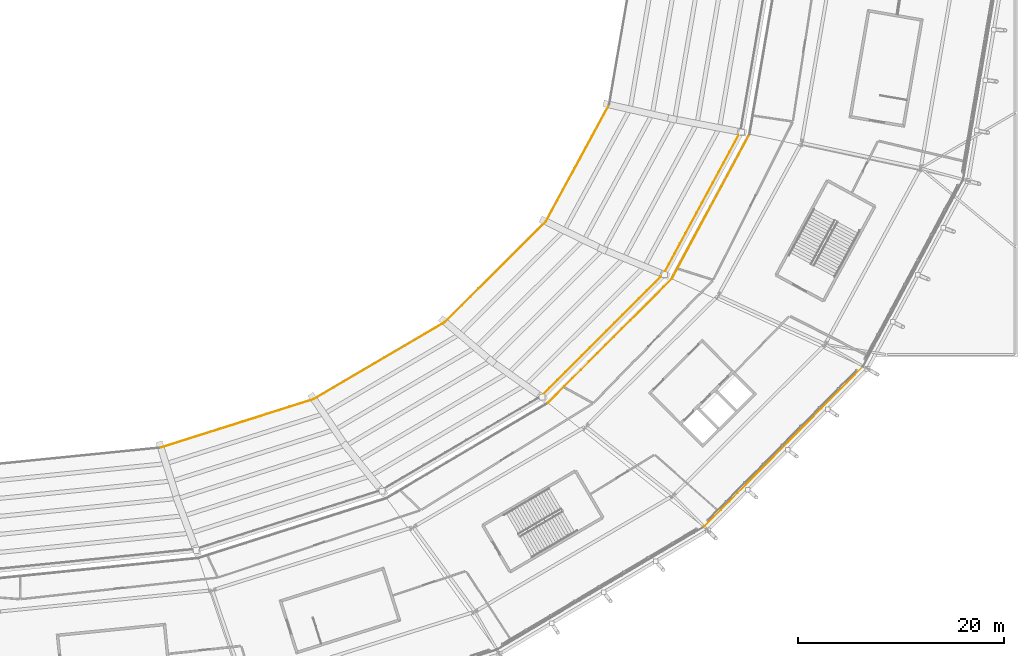
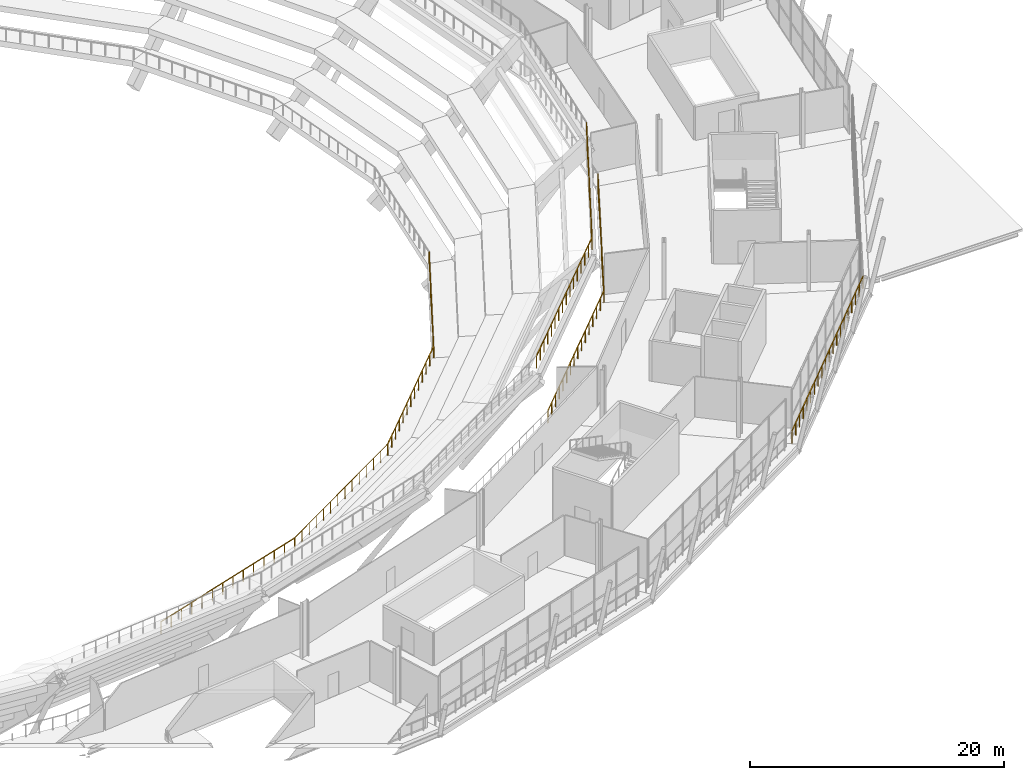
# One storey, part 118 of 126: 9 railings.
"""IFC4 building model written with IfcOpenShell, lengths in metres."""

from ifc_helpers import new_model, si_unit, direction, frame, origin, origin_2d, place, context, subcontext, project, spatial, rectangle, extrude, material, type_object, element, save


model = new_model("IFC4")

# Units and contexts
model_context = context("Model", 3, precision=1e-05, world=origin(), true_north=direction((0.0, 1.0)))
body_context = subcontext(model_context, "Body", "Model", "MODEL_VIEW")
ifc_project = project(units=[si_unit("LENGTHUNIT", "METRE"), si_unit("AREAUNIT", "SQUARE_METRE"), si_unit("VOLUMEUNIT", "CUBIC_METRE"), si_unit("PLANEANGLEUNIT", "RADIAN"), si_unit("MASSUNIT", "GRAM", prefix="KILO")], contexts=[model_context])

# Site, building, storey
site_placement = place(None, origin())
site = spatial("IfcSite", under=ifc_project, at=site_placement, CompositionType="ELEMENT")
building_placement = place(site_placement, origin())
building = spatial("IfcBuilding", under=site, at=building_placement, Name="Zlatoyarsky Gate Stadium", CompositionType="ELEMENT")
storey_placement = place(building_placement, frame((0.0, 0.0, 20.800048828125)))
storey = spatial("IfcBuildingStorey", under=building, at=storey_placement, Name="L04", CompositionType="ELEMENT", Elevation=20.800048828125)

# Railings
ifc_material_1 = material(Name="Galvanised steel sightline guardrail", Category="steel")
railing_type_1 = type_object("IfcRailingType", Name="BOWL FRONT SIGHTLINE GUARDRAIL 1150", PredefinedType="GUARDRAIL", material=ifc_material_1)
railing_1_placement = place(storey_placement, frame((126.956298828125, 34.45654296875, -4.400146484375)))
element("IfcRailing", 1, at=railing_1_placement, inside=storey, type_object=railing_type_1, Name="Upper bowl front guardrail 19", PredefinedType="GUARDRAIL", context=body_context, shape_type="SweptSolid", body=[
    extrude(rectangle(XDim=0.048095703125, YDim=0.048095703125, at=origin_2d()), frame((0.0, 0.0, 1.1259765625), z_axis=(0.953304525626, 0.30201073064, 0.0), x_axis=(-0.30201073064, 0.953304525626, 0.0)), (0.0, 0.0, 1.0), 15.596923828125),
    extrude(rectangle(XDim=0.0419921875, YDim=0.0419921875, at=origin_2d()), origin(), (0.0, 0.0, 1.0), 1.101806640625),
    extrude(rectangle(XDim=0.0419921875, YDim=0.0419921875, at=origin_2d()), frame((1.143798828125, 0.3623046875, 0.0)), (0.0, 0.0, 1.0), 1.101806640625),
    extrude(rectangle(XDim=0.0419921875, YDim=0.0419921875, at=origin_2d()), frame((2.28759765625, 0.724609375, 0.0)), (0.0, 0.0, 1.0), 1.101806640625),
    extrude(rectangle(XDim=0.0419921875, YDim=0.0419921875, at=origin_2d()), frame((3.43115234375, 1.0869140625, 0.0)), (0.0, 0.0, 1.0), 1.101806640625),
    extrude(rectangle(XDim=0.0419921875, YDim=0.0419921875, at=origin_2d()), frame((4.574951171875, 1.449462890625, 0.0)), (0.0, 0.0, 1.0), 1.101806640625),
    extrude(rectangle(XDim=0.0419921875, YDim=0.0419921875, at=origin_2d()), frame((5.71875, 1.811767578125, 0.0)), (0.0, 0.0, 1.0), 1.101806640625),
    extrude(rectangle(XDim=0.0419921875, YDim=0.0419921875, at=origin_2d()), frame((6.862548828125, 2.174072265625, 0.0)), (0.0, 0.0, 1.0), 1.101806640625),
    extrude(rectangle(XDim=0.0419921875, YDim=0.0419921875, at=origin_2d()), frame((8.006103515625, 2.536376953125, 0.0)), (0.0, 0.0, 1.0), 1.101806640625),
    extrude(rectangle(XDim=0.0419921875, YDim=0.0419921875, at=origin_2d()), frame((9.14990234375, 2.898681640625, 0.0)), (0.0, 0.0, 1.0), 1.101806640625),
    extrude(rectangle(XDim=0.0419921875, YDim=0.0419921875, at=origin_2d()), frame((10.293701171875, 3.260986328125, 0.0)), (0.0, 0.0, 1.0), 1.101806640625),
    extrude(rectangle(XDim=0.0419921875, YDim=0.0419921875, at=origin_2d()), frame((11.4375, 3.62353515625, 0.0)), (0.0, 0.0, 1.0), 1.101806640625),
    extrude(rectangle(XDim=0.0419921875, YDim=0.0419921875, at=origin_2d()), frame((12.5810546875, 3.98583984375, 0.0)), (0.0, 0.0, 1.0), 1.101806640625),
    extrude(rectangle(XDim=0.0419921875, YDim=0.0419921875, at=origin_2d()), frame((13.724853515625, 4.34814453125, 0.0)), (0.0, 0.0, 1.0), 1.101806640625),
    extrude(rectangle(XDim=0.0419921875, YDim=0.0419921875, at=origin_2d()), frame((14.86865234375, 4.71044921875, 0.0)), (0.0, 0.0, 1.0), 1.101806640625),
])
railing_2_placement = place(storey_placement, frame((141.824951171875, 39.1669921875, -4.400146484375)))
element("IfcRailing", 2, at=railing_2_placement, inside=storey, type_object=railing_type_1, Name="Upper bowl front guardrail 20", PredefinedType="GUARDRAIL", context=body_context, shape_type="SweptSolid", body=[
    extrude(rectangle(XDim=0.048095703125, YDim=0.048095703125, at=origin_2d()), frame((0.0, 0.0, 1.1259765625), z_axis=(0.862456472838, 0.506131240351, 0.0), x_axis=(-0.506131240351, 0.862456472838, 0.0)), (0.0, 0.0, 1.0), 14.80419921875),
    extrude(rectangle(XDim=0.0419921875, YDim=0.0419921875, at=origin_2d()), origin(), (0.0, 0.0, 1.0), 1.101806640625),
    extrude(rectangle(XDim=0.0419921875, YDim=0.0419921875, at=origin_2d()), frame((0.982177734375, 0.576416015625, 0.0)), (0.0, 0.0, 1.0), 1.101806640625),
    extrude(rectangle(XDim=0.0419921875, YDim=0.0419921875, at=origin_2d()), frame((1.96435546875, 1.15283203125, 0.0)), (0.0, 0.0, 1.0), 1.101806640625),
    extrude(rectangle(XDim=0.0419921875, YDim=0.0419921875, at=origin_2d()), frame((2.946533203125, 1.729248046875, 0.0)), (0.0, 0.0, 1.0), 1.101806640625),
    extrude(rectangle(XDim=0.0419921875, YDim=0.0419921875, at=origin_2d()), frame((3.9287109375, 2.305419921875, 0.0)), (0.0, 0.0, 1.0), 1.101806640625),
    extrude(rectangle(XDim=0.0419921875, YDim=0.0419921875, at=origin_2d()), frame((4.910888671875, 2.8818359375, 0.0)), (0.0, 0.0, 1.0), 1.101806640625),
    extrude(rectangle(XDim=0.0419921875, YDim=0.0419921875, at=origin_2d()), frame((5.89306640625, 3.458251953125, 0.0)), (0.0, 0.0, 1.0), 1.101806640625),
    extrude(rectangle(XDim=0.0419921875, YDim=0.0419921875, at=origin_2d()), frame((6.875, 4.03466796875, 0.0)), (0.0, 0.0, 1.0), 1.101806640625),
    extrude(rectangle(XDim=0.0419921875, YDim=0.0419921875, at=origin_2d()), frame((7.857177734375, 4.611083984375, 0.0)), (0.0, 0.0, 1.0), 1.101806640625),
    extrude(rectangle(XDim=0.0419921875, YDim=0.0419921875, at=origin_2d()), frame((8.83935546875, 5.1875, 0.0)), (0.0, 0.0, 1.0), 1.101806640625),
    extrude(rectangle(XDim=0.0419921875, YDim=0.0419921875, at=origin_2d()), frame((9.821533203125, 5.763671875, 0.0)), (0.0, 0.0, 1.0), 1.101806640625),
    extrude(rectangle(XDim=0.0419921875, YDim=0.0419921875, at=origin_2d()), frame((10.8037109375, 6.340087890625, 0.0)), (0.0, 0.0, 1.0), 1.101806640625),
    extrude(rectangle(XDim=0.0419921875, YDim=0.0419921875, at=origin_2d()), frame((11.785888671875, 6.91650390625, 0.0)), (0.0, 0.0, 1.0), 1.101806640625),
    extrude(rectangle(XDim=0.0419921875, YDim=0.0419921875, at=origin_2d()), frame((12.76806640625, 7.492919921875, 0.0)), (0.0, 0.0, 1.0), 1.101806640625),
])
railing_3_placement = place(storey_placement, frame((154.593017578125, 46.659912109375, -4.400146484375)))
element("IfcRailing", 3, at=railing_3_placement, inside=storey, type_object=railing_type_1, Name="Upper bowl front guardrail 21", PredefinedType="GUARDRAIL", context=body_context, shape_type="SweptSolid", body=[
    extrude(rectangle(XDim=0.048095703125, YDim=0.048095703125, at=origin_2d()), frame((0.0, 0.0, 1.1259765625), z_axis=(0.708270682541, 0.705940960884, 0.0), x_axis=(-0.705940960884, 0.708270682541, 0.0)), (0.0, 0.0, 1.0), 13.832763671875),
    extrude(rectangle(XDim=0.0419921875, YDim=0.0419921875, at=origin_2d()), origin(), (0.0, 0.0, 1.0), 1.101806640625),
    extrude(rectangle(XDim=0.0419921875, YDim=0.0419921875, at=origin_2d()), frame((0.81640625, 0.813720703125, 0.0)), (0.0, 0.0, 1.0), 1.101806640625),
    extrude(rectangle(XDim=0.0419921875, YDim=0.0419921875, at=origin_2d()), frame((1.6328125, 1.62744140625, 0.0)), (0.0, 0.0, 1.0), 1.101806640625),
    extrude(rectangle(XDim=0.0419921875, YDim=0.0419921875, at=origin_2d()), frame((2.44921875, 2.44140625, 0.0)), (0.0, 0.0, 1.0), 1.101806640625),
    extrude(rectangle(XDim=0.0419921875, YDim=0.0419921875, at=origin_2d()), frame((3.265869140625, 3.255126953125, 0.0)), (0.0, 0.0, 1.0), 1.101806640625),
    extrude(rectangle(XDim=0.0419921875, YDim=0.0419921875, at=origin_2d()), frame((4.082275390625, 4.06884765625, 0.0)), (0.0, 0.0, 1.0), 1.101806640625),
    extrude(rectangle(XDim=0.0419921875, YDim=0.0419921875, at=origin_2d()), frame((4.898681640625, 4.882568359375, 0.0)), (0.0, 0.0, 1.0), 1.101806640625),
    extrude(rectangle(XDim=0.0419921875, YDim=0.0419921875, at=origin_2d()), frame((5.715087890625, 5.6962890625, 0.0)), (0.0, 0.0, 1.0), 1.101806640625),
    extrude(rectangle(XDim=0.0419921875, YDim=0.0419921875, at=origin_2d()), frame((6.531494140625, 6.510009765625, 0.0)), (0.0, 0.0, 1.0), 1.101806640625),
    extrude(rectangle(XDim=0.0419921875, YDim=0.0419921875, at=origin_2d()), frame((7.34814453125, 7.32373046875, 0.0)), (0.0, 0.0, 1.0), 1.101806640625),
    extrude(rectangle(XDim=0.0419921875, YDim=0.0419921875, at=origin_2d()), frame((8.16455078125, 8.1376953125, 0.0)), (0.0, 0.0, 1.0), 1.101806640625),
    extrude(rectangle(XDim=0.0419921875, YDim=0.0419921875, at=origin_2d()), frame((8.98095703125, 8.951416015625, 0.0)), (0.0, 0.0, 1.0), 1.101806640625),
    extrude(rectangle(XDim=0.0419921875, YDim=0.0419921875, at=origin_2d()), frame((9.79736328125, 9.76513671875, 0.0)), (0.0, 0.0, 1.0), 1.101806640625),
])
railing_4_placement = place(storey_placement, frame((164.390380859375, 56.425048828125, -4.400146484375)))
element("IfcRailing", 4, at=railing_4_placement, inside=storey, type_object=railing_type_1, Name="Upper bowl front guardrail 22", PredefinedType="GUARDRAIL", context=body_context, shape_type="SweptSolid", body=[
    extrude(rectangle(XDim=0.048095703125, YDim=0.048095703125, at=origin_2d()), frame((0.0, 0.0, 1.1259765625), z_axis=(0.476243009473, 0.879313707347, 0.0), x_axis=(-0.879313707347, 0.476243009473, 0.0)), (0.0, 0.0, 1.0), 12.932373046875),
    extrude(rectangle(XDim=0.0419921875, YDim=0.0419921875, at=origin_2d()), origin(), (0.0, 0.0, 1.0), 1.101806640625),
    extrude(rectangle(XDim=0.0419921875, YDim=0.0419921875, at=origin_2d()), frame((0.559814453125, 1.03369140625, 0.0)), (0.0, 0.0, 1.0), 1.101806640625),
    extrude(rectangle(XDim=0.0419921875, YDim=0.0419921875, at=origin_2d()), frame((1.119873046875, 2.067626953125, 0.0)), (0.0, 0.0, 1.0), 1.101806640625),
    extrude(rectangle(XDim=0.0419921875, YDim=0.0419921875, at=origin_2d()), frame((1.6796875, 3.101318359375, 0.0)), (0.0, 0.0, 1.0), 1.101806640625),
    extrude(rectangle(XDim=0.0419921875, YDim=0.0419921875, at=origin_2d()), frame((2.239501953125, 4.135009765625, 0.0)), (0.0, 0.0, 1.0), 1.101806640625),
    extrude(rectangle(XDim=0.0419921875, YDim=0.0419921875, at=origin_2d()), frame((2.799560546875, 5.1689453125, 0.0)), (0.0, 0.0, 1.0), 1.101806640625),
    extrude(rectangle(XDim=0.0419921875, YDim=0.0419921875, at=origin_2d()), frame((3.359375, 6.20263671875, 0.0)), (0.0, 0.0, 1.0), 1.101806640625),
    extrude(rectangle(XDim=0.0419921875, YDim=0.0419921875, at=origin_2d()), frame((3.91943359375, 7.236572265625, 0.0)), (0.0, 0.0, 1.0), 1.101806640625),
    extrude(rectangle(XDim=0.0419921875, YDim=0.0419921875, at=origin_2d()), frame((4.479248046875, 8.270263671875, 0.0)), (0.0, 0.0, 1.0), 1.101806640625),
    extrude(rectangle(XDim=0.0419921875, YDim=0.0419921875, at=origin_2d()), frame((5.0390625, 9.303955078125, 0.0)), (0.0, 0.0, 1.0), 1.101806640625),
    extrude(rectangle(XDim=0.0419921875, YDim=0.0419921875, at=origin_2d()), frame((5.59912109375, 10.337890625, 0.0)), (0.0, 0.0, 1.0), 1.101806640625),
    extrude(rectangle(XDim=0.0419921875, YDim=0.0419921875, at=origin_2d()), frame((6.158935546875, 11.37158203125, 0.0)), (0.0, 0.0, 1.0), 1.101806640625),
])
ifc_material_2 = material(Name="Powder-coated steel tubular guardrail", Category="steel")
railing_type_2 = type_object("IfcRailingType", Name="CONCOURSE SLAB EDGE GUARDRAIL 1200", PredefinedType="GUARDRAIL", material=ifc_material_2)
railing_5_placement = place(storey_placement, frame((163.927001953125, 39.447509765625, 5.099853515625)))
element("IfcRailing", 5, at=railing_5_placement, inside=storey, type_object=railing_type_2, Name="Upper bowl back guardrail 21", PredefinedType="GUARDRAIL", context=body_context, shape_type="SweptSolid", body=[
    extrude(rectangle(XDim=0.048095703125, YDim=0.048095703125, at=origin_2d()), frame((0.0, 0.0, 1.17578125), z_axis=(0.707629445314, 0.706583730441, 0.0), x_axis=(-0.706583730441, 0.707629445314, 0.0)), (0.0, 0.0, 1.0), 16.8095703125),
    extrude(rectangle(XDim=0.0419921875, YDim=0.0419921875, at=origin_2d()), origin(), (0.0, 0.0, 1.0), 1.15185546875),
    extrude(rectangle(XDim=0.0419921875, YDim=0.0419921875, at=origin_2d()), frame((0.79296875, 0.791748046875, 0.0)), (0.0, 0.0, 1.0), 1.15185546875),
    extrude(rectangle(XDim=0.0419921875, YDim=0.0419921875, at=origin_2d()), frame((1.5859375, 1.583740234375, 0.0)), (0.0, 0.0, 1.0), 1.15185546875),
    extrude(rectangle(XDim=0.0419921875, YDim=0.0419921875, at=origin_2d()), frame((2.37890625, 2.37548828125, 0.0)), (0.0, 0.0, 1.0), 1.15185546875),
    extrude(rectangle(XDim=0.0419921875, YDim=0.0419921875, at=origin_2d()), frame((3.172119140625, 3.167236328125, 0.0)), (0.0, 0.0, 1.0), 1.15185546875),
    extrude(rectangle(XDim=0.0419921875, YDim=0.0419921875, at=origin_2d()), frame((3.965087890625, 3.959228515625, 0.0)), (0.0, 0.0, 1.0), 1.15185546875),
    extrude(rectangle(XDim=0.0419921875, YDim=0.0419921875, at=origin_2d()), frame((4.758056640625, 4.7509765625, 0.0)), (0.0, 0.0, 1.0), 1.15185546875),
    extrude(rectangle(XDim=0.0419921875, YDim=0.0419921875, at=origin_2d()), frame((5.551025390625, 5.542724609375, 0.0)), (0.0, 0.0, 1.0), 1.15185546875),
    extrude(rectangle(XDim=0.0419921875, YDim=0.0419921875, at=origin_2d()), frame((6.343994140625, 6.334716796875, 0.0)), (0.0, 0.0, 1.0), 1.15185546875),
    extrude(rectangle(XDim=0.0419921875, YDim=0.0419921875, at=origin_2d()), frame((7.136962890625, 7.12646484375, 0.0)), (0.0, 0.0, 1.0), 1.15185546875),
    extrude(rectangle(XDim=0.0419921875, YDim=0.0419921875, at=origin_2d()), frame((7.929931640625, 7.918212890625, 0.0)), (0.0, 0.0, 1.0), 1.15185546875),
    extrude(rectangle(XDim=0.0419921875, YDim=0.0419921875, at=origin_2d()), frame((8.722900390625, 8.710205078125, 0.0)), (0.0, 0.0, 1.0), 1.15185546875),
    extrude(rectangle(XDim=0.0419921875, YDim=0.0419921875, at=origin_2d()), frame((9.51611328125, 9.501953125, 0.0)), (0.0, 0.0, 1.0), 1.15185546875),
    extrude(rectangle(XDim=0.0419921875, YDim=0.0419921875, at=origin_2d()), frame((10.30908203125, 10.293701171875, 0.0)), (0.0, 0.0, 1.0), 1.15185546875),
    extrude(rectangle(XDim=0.0419921875, YDim=0.0419921875, at=origin_2d()), frame((11.10205078125, 11.085693359375, 0.0)), (0.0, 0.0, 1.0), 1.15185546875),
    extrude(rectangle(XDim=0.0419921875, YDim=0.0419921875, at=origin_2d()), frame((11.89501953125, 11.87744140625, 0.0)), (0.0, 0.0, 1.0), 1.15185546875),
])
railing_6_placement = place(storey_placement, frame((164.584716796875, 38.789794921875, 0.0)))
element("IfcRailing", 6, at=railing_6_placement, inside=storey, type_object=railing_type_2, Name="L04 inner bowl edge guardrail 21", PredefinedType="GUARDRAIL", context=body_context, shape_type="SweptSolid", body=[
    extrude(rectangle(XDim=0.048095703125, YDim=0.048095703125, at=origin_2d()), frame((0.0, 0.0, 1.17578125), z_axis=(0.706297313219, 0.707915323566, 0.0), x_axis=(-0.707915323566, 0.706297313219, 0.0)), (0.0, 0.0, 1.0), 17.050537109375),
    extrude(rectangle(XDim=0.0419921875, YDim=0.0419921875, at=origin_2d()), origin(), (0.0, 0.0, 1.0), 1.15185546875),
    extrude(rectangle(XDim=0.0419921875, YDim=0.0419921875, at=origin_2d()), frame((0.802734375, 0.8046875, 0.0)), (0.0, 0.0, 1.0), 1.15185546875),
    extrude(rectangle(XDim=0.0419921875, YDim=0.0419921875, at=origin_2d()), frame((1.605712890625, 1.609375, 0.0)), (0.0, 0.0, 1.0), 1.15185546875),
    extrude(rectangle(XDim=0.0419921875, YDim=0.0419921875, at=origin_2d()), frame((2.408447265625, 2.4140625, 0.0)), (0.0, 0.0, 1.0), 1.15185546875),
    extrude(rectangle(XDim=0.0419921875, YDim=0.0419921875, at=origin_2d()), frame((3.21142578125, 3.21875, 0.0)), (0.0, 0.0, 1.0), 1.15185546875),
    extrude(rectangle(XDim=0.0419921875, YDim=0.0419921875, at=origin_2d()), frame((4.01416015625, 4.0234375, 0.0)), (0.0, 0.0, 1.0), 1.15185546875),
    extrude(rectangle(XDim=0.0419921875, YDim=0.0419921875, at=origin_2d()), frame((4.817138671875, 4.828125, 0.0)), (0.0, 0.0, 1.0), 1.15185546875),
    extrude(rectangle(XDim=0.0419921875, YDim=0.0419921875, at=origin_2d()), frame((5.619873046875, 5.6328125, 0.0)), (0.0, 0.0, 1.0), 1.15185546875),
    extrude(rectangle(XDim=0.0419921875, YDim=0.0419921875, at=origin_2d()), frame((6.4228515625, 6.4375, 0.0)), (0.0, 0.0, 1.0), 1.15185546875),
    extrude(rectangle(XDim=0.0419921875, YDim=0.0419921875, at=origin_2d()), frame((7.2255859375, 7.2421875, 0.0)), (0.0, 0.0, 1.0), 1.15185546875),
    extrude(rectangle(XDim=0.0419921875, YDim=0.0419921875, at=origin_2d()), frame((8.028564453125, 8.046875, 0.0)), (0.0, 0.0, 1.0), 1.15185546875),
    extrude(rectangle(XDim=0.0419921875, YDim=0.0419921875, at=origin_2d()), frame((8.831298828125, 8.8515625, 0.0)), (0.0, 0.0, 1.0), 1.15185546875),
    extrude(rectangle(XDim=0.0419921875, YDim=0.0419921875, at=origin_2d()), frame((9.63427734375, 9.65625, 0.0)), (0.0, 0.0, 1.0), 1.15185546875),
    extrude(rectangle(XDim=0.0419921875, YDim=0.0419921875, at=origin_2d()), frame((10.43701171875, 10.4609375, 0.0)), (0.0, 0.0, 1.0), 1.15185546875),
    extrude(rectangle(XDim=0.0419921875, YDim=0.0419921875, at=origin_2d()), frame((11.239990234375, 11.265625, 0.0)), (0.0, 0.0, 1.0), 1.15185546875),
    extrude(rectangle(XDim=0.0419921875, YDim=0.0419921875, at=origin_2d()), frame((12.042724609375, 12.0703125, 0.0)), (0.0, 0.0, 1.0), 1.15185546875),
])
railing_7_placement = place(storey_placement, frame((175.822021484375, 51.324951171875, 5.099853515625)))
element("IfcRailing", 7, at=railing_7_placement, inside=storey, type_object=railing_type_2, Name="Upper bowl back guardrail 22", PredefinedType="GUARDRAIL", context=body_context, shape_type="SweptSolid", body=[
    extrude(rectangle(XDim=0.048095703125, YDim=0.048095703125, at=origin_2d()), frame((0.0, 0.0, 1.17578125), z_axis=(0.475561201038, 0.879682638266, 0.0), x_axis=(-0.879682638266, 0.475561201038, 0.0)), (0.0, 0.0, 1.0), 15.7236328125),
    extrude(rectangle(XDim=0.0419921875, YDim=0.0419921875, at=origin_2d()), origin(), (0.0, 0.0, 1.0), 1.15185546875),
    extrude(rectangle(XDim=0.0419921875, YDim=0.0419921875, at=origin_2d()), frame((0.5341796875, 0.988037109375, 0.0)), (0.0, 0.0, 1.0), 1.15185546875),
    extrude(rectangle(XDim=0.0419921875, YDim=0.0419921875, at=origin_2d()), frame((1.068115234375, 1.97607421875, 0.0)), (0.0, 0.0, 1.0), 1.15185546875),
    extrude(rectangle(XDim=0.0419921875, YDim=0.0419921875, at=origin_2d()), frame((1.602294921875, 2.9638671875, 0.0)), (0.0, 0.0, 1.0), 1.15185546875),
    extrude(rectangle(XDim=0.0419921875, YDim=0.0419921875, at=origin_2d()), frame((2.136474609375, 3.951904296875, 0.0)), (0.0, 0.0, 1.0), 1.15185546875),
    extrude(rectangle(XDim=0.0419921875, YDim=0.0419921875, at=origin_2d()), frame((2.670654296875, 4.93994140625, 0.0)), (0.0, 0.0, 1.0), 1.15185546875),
    extrude(rectangle(XDim=0.0419921875, YDim=0.0419921875, at=origin_2d()), frame((3.20458984375, 5.927978515625, 0.0)), (0.0, 0.0, 1.0), 1.15185546875),
    extrude(rectangle(XDim=0.0419921875, YDim=0.0419921875, at=origin_2d()), frame((3.73876953125, 6.916015625, 0.0)), (0.0, 0.0, 1.0), 1.15185546875),
    extrude(rectangle(XDim=0.0419921875, YDim=0.0419921875, at=origin_2d()), frame((4.27294921875, 7.90380859375, 0.0)), (0.0, 0.0, 1.0), 1.15185546875),
    extrude(rectangle(XDim=0.0419921875, YDim=0.0419921875, at=origin_2d()), frame((4.806884765625, 8.891845703125, 0.0)), (0.0, 0.0, 1.0), 1.15185546875),
    extrude(rectangle(XDim=0.0419921875, YDim=0.0419921875, at=origin_2d()), frame((5.341064453125, 9.8798828125, 0.0)), (0.0, 0.0, 1.0), 1.15185546875),
    extrude(rectangle(XDim=0.0419921875, YDim=0.0419921875, at=origin_2d()), frame((5.875244140625, 10.867919921875, 0.0)), (0.0, 0.0, 1.0), 1.15185546875),
    extrude(rectangle(XDim=0.0419921875, YDim=0.0419921875, at=origin_2d()), frame((6.409423828125, 11.855712890625, 0.0)), (0.0, 0.0, 1.0), 1.15185546875),
    extrude(rectangle(XDim=0.0419921875, YDim=0.0419921875, at=origin_2d()), frame((6.943359375, 12.84375, 0.0)), (0.0, 0.0, 1.0), 1.15185546875),
    extrude(rectangle(XDim=0.0419921875, YDim=0.0419921875, at=origin_2d()), frame((7.4775390625, 13.831787109375, 0.0)), (0.0, 0.0, 1.0), 1.15185546875),
])
railing_8_placement = place(storey_placement, frame((176.62744140625, 50.860107421875, 0.0)))
element("IfcRailing", 8, at=railing_8_placement, inside=storey, type_object=railing_type_2, Name="L04 inner bowl edge guardrail 22", PredefinedType="GUARDRAIL", context=body_context, shape_type="SweptSolid", body=[
    extrude(rectangle(XDim=0.048095703125, YDim=0.048095703125, at=origin_2d()), frame((0.0, 0.0, 1.17578125), z_axis=(0.474196483851, 0.880419044946, 0.0), x_axis=(-0.880419044946, 0.474196483851, 0.0)), (0.0, 0.0, 1.0), 15.965087890625),
    extrude(rectangle(XDim=0.0419921875, YDim=0.0419921875, at=origin_2d()), origin(), (0.0, 0.0, 1.0), 1.15185546875),
    extrude(rectangle(XDim=0.0419921875, YDim=0.0419921875, at=origin_2d()), frame((0.540771484375, 1.00390625, 0.0)), (0.0, 0.0, 1.0), 1.15185546875),
    extrude(rectangle(XDim=0.0419921875, YDim=0.0419921875, at=origin_2d()), frame((1.08154296875, 2.008056640625, 0.0)), (0.0, 0.0, 1.0), 1.15185546875),
    extrude(rectangle(XDim=0.0419921875, YDim=0.0419921875, at=origin_2d()), frame((1.622314453125, 3.011962890625, 0.0)), (0.0, 0.0, 1.0), 1.15185546875),
    extrude(rectangle(XDim=0.0419921875, YDim=0.0419921875, at=origin_2d()), frame((2.1630859375, 4.015869140625, 0.0)), (0.0, 0.0, 1.0), 1.15185546875),
    extrude(rectangle(XDim=0.0419921875, YDim=0.0419921875, at=origin_2d()), frame((2.703857421875, 5.02001953125, 0.0)), (0.0, 0.0, 1.0), 1.15185546875),
    extrude(rectangle(XDim=0.0419921875, YDim=0.0419921875, at=origin_2d()), frame((3.24462890625, 6.02392578125, 0.0)), (0.0, 0.0, 1.0), 1.15185546875),
    extrude(rectangle(XDim=0.0419921875, YDim=0.0419921875, at=origin_2d()), frame((3.78515625, 7.02783203125, 0.0)), (0.0, 0.0, 1.0), 1.15185546875),
    extrude(rectangle(XDim=0.0419921875, YDim=0.0419921875, at=origin_2d()), frame((4.325927734375, 8.031982421875, 0.0)), (0.0, 0.0, 1.0), 1.15185546875),
    extrude(rectangle(XDim=0.0419921875, YDim=0.0419921875, at=origin_2d()), frame((4.86669921875, 9.035888671875, 0.0)), (0.0, 0.0, 1.0), 1.15185546875),
    extrude(rectangle(XDim=0.0419921875, YDim=0.0419921875, at=origin_2d()), frame((5.407470703125, 10.0400390625, 0.0)), (0.0, 0.0, 1.0), 1.15185546875),
    extrude(rectangle(XDim=0.0419921875, YDim=0.0419921875, at=origin_2d()), frame((5.9482421875, 11.0439453125, 0.0)), (0.0, 0.0, 1.0), 1.15185546875),
    extrude(rectangle(XDim=0.0419921875, YDim=0.0419921875, at=origin_2d()), frame((6.489013671875, 12.0478515625, 0.0)), (0.0, 0.0, 1.0), 1.15185546875),
    extrude(rectangle(XDim=0.0419921875, YDim=0.0419921875, at=origin_2d()), frame((7.02978515625, 13.052001953125, 0.0)), (0.0, 0.0, 1.0), 1.15185546875),
    extrude(rectangle(XDim=0.0419921875, YDim=0.0419921875, at=origin_2d()), frame((7.570556640625, 14.055908203125, 0.0)), (0.0, 0.0, 1.0), 1.15185546875),
])
railing_9_placement = place(storey_placement, frame((179.780029296875, 26.7763671875, 0.0)))
element("IfcRailing", 9, at=railing_9_placement, inside=storey, type_object=railing_type_2, Name="L04 outer slab edge guardrail 21", PredefinedType="GUARDRAIL", context=body_context, shape_type="SweptSolid", body=[
    extrude(rectangle(XDim=0.048095703125, YDim=0.048095703125, at=origin_2d()), frame((0.0, 0.0, 1.17578125), z_axis=(0.704114537309, 0.710086416114, 0.0), x_axis=(-0.710086416114, 0.704114537309, 0.0)), (0.0, 0.0, 1.0), 21.953369140625),
    extrude(rectangle(XDim=0.0419921875, YDim=0.0419921875, at=origin_2d()), origin(), (0.0, 0.0, 1.0), 1.15185546875),
    extrude(rectangle(XDim=0.0419921875, YDim=0.0419921875, at=origin_2d()), frame((0.8134765625, 0.820556640625, 0.0)), (0.0, 0.0, 1.0), 1.15185546875),
    extrude(rectangle(XDim=0.0419921875, YDim=0.0419921875, at=origin_2d()), frame((1.627197265625, 1.640869140625, 0.0)), (0.0, 0.0, 1.0), 1.15185546875),
    extrude(rectangle(XDim=0.0419921875, YDim=0.0419921875, at=origin_2d()), frame((2.440673828125, 2.46142578125, 0.0)), (0.0, 0.0, 1.0), 1.15185546875),
    extrude(rectangle(XDim=0.0419921875, YDim=0.0419921875, at=origin_2d()), frame((3.254150390625, 3.281982421875, 0.0)), (0.0, 0.0, 1.0), 1.15185546875),
    extrude(rectangle(XDim=0.0419921875, YDim=0.0419921875, at=origin_2d()), frame((4.06787109375, 4.102294921875, 0.0)), (0.0, 0.0, 1.0), 1.15185546875),
    extrude(rectangle(XDim=0.0419921875, YDim=0.0419921875, at=origin_2d()), frame((4.88134765625, 4.9228515625, 0.0)), (0.0, 0.0, 1.0), 1.15185546875),
    extrude(rectangle(XDim=0.0419921875, YDim=0.0419921875, at=origin_2d()), frame((5.695068359375, 5.7431640625, 0.0)), (0.0, 0.0, 1.0), 1.15185546875),
    extrude(rectangle(XDim=0.0419921875, YDim=0.0419921875, at=origin_2d()), frame((6.508544921875, 6.563720703125, 0.0)), (0.0, 0.0, 1.0), 1.15185546875),
    extrude(rectangle(XDim=0.0419921875, YDim=0.0419921875, at=origin_2d()), frame((7.322021484375, 7.38427734375, 0.0)), (0.0, 0.0, 1.0), 1.15185546875),
    extrude(rectangle(XDim=0.0419921875, YDim=0.0419921875, at=origin_2d()), frame((8.1357421875, 8.20458984375, 0.0)), (0.0, 0.0, 1.0), 1.15185546875),
    extrude(rectangle(XDim=0.0419921875, YDim=0.0419921875, at=origin_2d()), frame((8.94921875, 9.025146484375, 0.0)), (0.0, 0.0, 1.0), 1.15185546875),
    extrude(rectangle(XDim=0.0419921875, YDim=0.0419921875, at=origin_2d()), frame((9.7626953125, 9.845703125, 0.0)), (0.0, 0.0, 1.0), 1.15185546875),
    extrude(rectangle(XDim=0.0419921875, YDim=0.0419921875, at=origin_2d()), frame((10.576416015625, 10.666015625, 0.0)), (0.0, 0.0, 1.0), 1.15185546875),
    extrude(rectangle(XDim=0.0419921875, YDim=0.0419921875, at=origin_2d()), frame((11.389892578125, 11.486572265625, 0.0)), (0.0, 0.0, 1.0), 1.15185546875),
    extrude(rectangle(XDim=0.0419921875, YDim=0.0419921875, at=origin_2d()), frame((12.20361328125, 12.306884765625, 0.0)), (0.0, 0.0, 1.0), 1.15185546875),
    extrude(rectangle(XDim=0.0419921875, YDim=0.0419921875, at=origin_2d()), frame((13.01708984375, 13.12744140625, 0.0)), (0.0, 0.0, 1.0), 1.15185546875),
    extrude(rectangle(XDim=0.0419921875, YDim=0.0419921875, at=origin_2d()), frame((13.83056640625, 13.947998046875, 0.0)), (0.0, 0.0, 1.0), 1.15185546875),
    extrude(rectangle(XDim=0.0419921875, YDim=0.0419921875, at=origin_2d()), frame((14.644287109375, 14.768310546875, 0.0)), (0.0, 0.0, 1.0), 1.15185546875),
    extrude(rectangle(XDim=0.0419921875, YDim=0.0419921875, at=origin_2d()), frame((15.457763671875, 15.5888671875, 0.0)), (0.0, 0.0, 1.0), 1.15185546875),
])

save(model, "model.ifc")
